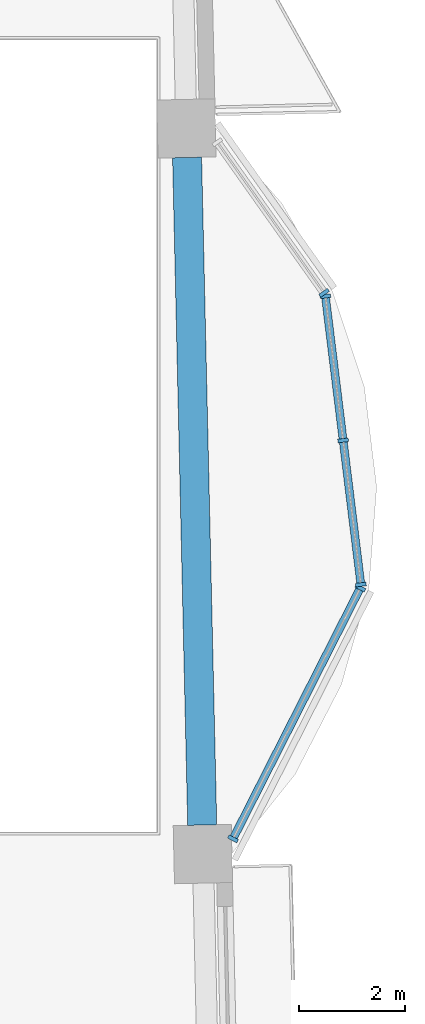
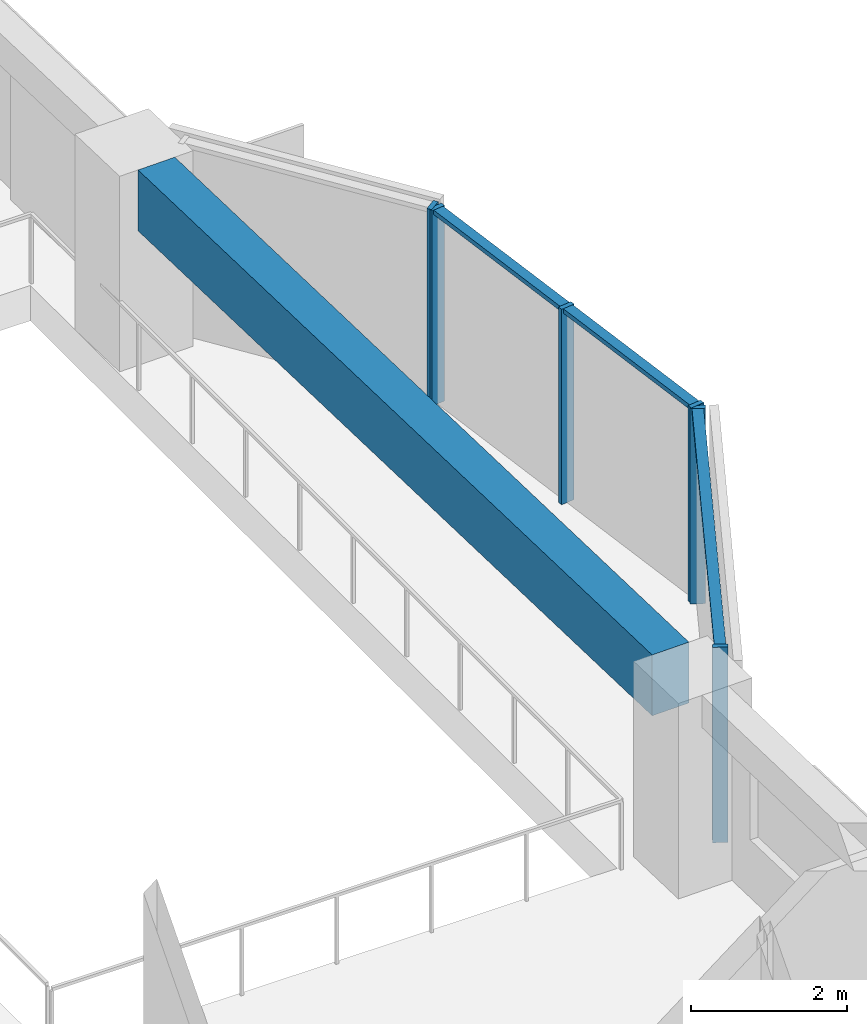
# One storey, part 2 of 17: 9 members, 1 beam, 3 elements without a shape of their own.
"""IFC4 building model written with IfcOpenShell, lengths in metres."""

from ifc_helpers import new_model, si_unit, direction, frame, origin, origin_2d, place, context, subcontext, project, spatial, rectangle, extrude, material, material_profile, profile_set, type_object, element, aggregate, save


model = new_model("IFC4")

# Units and contexts
model_context = context("Model", 3, precision=1e-05, world=origin(), true_north=direction((0.0, 1.0)))
body_context = subcontext(model_context, "Body", "Model", "MODEL_VIEW")
ifc_project = project(units=[si_unit("LENGTHUNIT", "METRE"), si_unit("AREAUNIT", "SQUARE_METRE"), si_unit("VOLUMEUNIT", "CUBIC_METRE"), si_unit("PLANEANGLEUNIT", "RADIAN"), si_unit("MASSUNIT", "GRAM", prefix="KILO")], contexts=[model_context])

# Site, building, storey
site_placement = place(None, origin())
site = spatial("IfcSite", under=ifc_project, at=site_placement, CompositionType="ELEMENT")
building_placement = place(site_placement, origin())
building = spatial("IfcBuilding", under=site, at=building_placement, Name="Mangrove Gate Tower", CompositionType="ELEMENT")
storey_placement = place(building_placement, frame((0.0, 0.0, 238.300048828125)))
storey = spatial("IfcBuildingStorey", under=building, at=storey_placement, Name="L60", CompositionType="ELEMENT", Elevation=238.300048828125)

# Curtain wall, members
ifc_material_1 = material(Name="Aluminium and glass curtain wall", Category="aluminium")
curtain_wall_type = type_object("IfcCurtainWallType", Name="Atrium garden-court glazing wall", PredefinedType="NOTDEFINED", material=ifc_material_1)
curtain_wall_1_placement = place(storey_placement, origin())
curtain_wall_1 = element("IfcCurtainWall", 1, at=curtain_wall_1_placement, inside=storey, type_object=curtain_wall_type, Name="Atrium garden-court glazing E1f1", PredefinedType="NOTDEFINED")
ifc_material_2 = material(Name="Aluminium alloy 6063-T6", Category="aluminium")
ifc_material_profile_1 = material_profile(ifc_material_2, rectangle(XDim=0.070068359375, YDim=0.199951171875, at=origin_2d()))
ifc_profile_set_1 = profile_set([ifc_material_profile_1], Name="Aluminium alloy 6063-T6")
member_type_1 = type_object("IfcMemberType", Name="Atrium garden-court glazing mullion 70x200", PredefinedType="MULLION", material=ifc_profile_set_1)
member_1_placement = place(storey_placement, frame((25.67333984375, -7.632080078125, 0.0), z_axis=(0.0, 0.0, 1.0), x_axis=(0.452597795636, 0.891714772439, 0.0)))
member_1 = element("IfcMember", 2, at=member_1_placement, type_object=member_type_1, Name="CWA mullion 1", PredefinedType="MULLION", context=body_context, shape_type="SweptSolid", body=[
    extrude(rectangle(XDim=0.070068359375, YDim=0.199951171875, at=origin_2d()), origin(), (0.0, 0.0, 1.0), 3.050048828125),
])
member_2_placement = place(storey_placement, frame((28.084716796875, -2.881103515625, 0.0), z_axis=(0.0, 0.0, 1.0), x_axis=(0.452597795636, 0.891714772439, 0.0)))
member_2 = element("IfcMember", 3, at=member_2_placement, type_object=member_type_1, Name="CWA mullion 2", PredefinedType="MULLION", context=body_context, shape_type="SweptSolid", body=[
    extrude(rectangle(XDim=0.070068359375, YDim=0.199951171875, at=origin_2d()), origin(), (0.0, 0.0, 1.0), 3.050048828125),
])

curtain_wall_2_placement = place(storey_placement, origin())
curtain_wall_2 = element("IfcCurtainWall", 4, at=curtain_wall_2_placement, inside=storey, type_object=curtain_wall_type, Name="Atrium garden-court glazing E1f2", PredefinedType="NOTDEFINED")
member_3_placement = place(storey_placement, frame((28.09619140625, -2.815185546875, 0.0), z_axis=(0.0, 0.0, 1.0), x_axis=(-0.122172285885, 0.992508908051, 0.0)))
member_3 = element("IfcMember", 5, at=member_3_placement, type_object=member_type_1, Name="CWA mullion 1", PredefinedType="MULLION", context=body_context, shape_type="SweptSolid", body=[
    extrude(rectangle(XDim=0.070068359375, YDim=0.199951171875, at=origin_2d()), origin(), (0.0, 0.0, 1.0), 3.050048828125),
])
member_4_placement = place(storey_placement, frame((27.760009765625, -0.083984375, 0.0), z_axis=(0.0, 0.0, 1.0), x_axis=(-0.122172285885, 0.992508908051, 0.0)))
member_4 = element("IfcMember", 6, at=member_4_placement, type_object=member_type_1, Name="CWA mullion 2", PredefinedType="MULLION", context=body_context, shape_type="SweptSolid", body=[
    extrude(rectangle(XDim=0.070068359375, YDim=0.199951171875, at=origin_2d()), origin(), (0.0, 0.0, 1.0), 3.050048828125),
])
member_5_placement = place(storey_placement, frame((27.423828125, 2.647216796875, 0.0), z_axis=(0.0, 0.0, 1.0), x_axis=(-0.122172285885, 0.992508908051, 0.0)))
member_5 = element("IfcMember", 7, at=member_5_placement, type_object=member_type_1, Name="CWA mullion 3", PredefinedType="MULLION", context=body_context, shape_type="SweptSolid", body=[
    extrude(rectangle(XDim=0.070068359375, YDim=0.199951171875, at=origin_2d()), origin(), (0.0, 0.0, 1.0), 3.050048828125),
])

# Curtain wall, member
curtain_wall_3_placement = place(storey_placement, origin())
curtain_wall_3 = element("IfcCurtainWall", 8, at=curtain_wall_3_placement, inside=storey, type_object=curtain_wall_type, Name="Atrium garden-court glazing E1f3", PredefinedType="NOTDEFINED")
member_6_placement = place(storey_placement, frame((27.3994140625, 2.71044921875, 0.0), z_axis=(0.0, 0.0, 1.0), x_axis=(-0.578120908245, 0.815951110944, 0.0)))
member_6 = element("IfcMember", 9, at=member_6_placement, type_object=member_type_1, Name="CWA mullion 1", PredefinedType="MULLION", context=body_context, shape_type="SweptSolid", body=[
    extrude(rectangle(XDim=0.070068359375, YDim=0.199951171875, at=origin_2d()), origin(), (0.0, 0.0, 1.0), 3.050048828125),
])
aggregate(curtain_wall_3, [member_6])

# Member
ifc_material_3 = material(Name="Aluminium alloy 6063-T6", Category="aluminium")
ifc_material_profile_2 = material_profile(ifc_material_3, rectangle(XDim=0.070068359375, YDim=0.14990234375, at=origin_2d()))
ifc_profile_set_2 = profile_set([ifc_material_profile_2], Name="Aluminium alloy 6063-T6")
member_type_2 = type_object("IfcMemberType", Name="Atrium garden-court glazing transom 70x150", PredefinedType="USERDEFINED", material=ifc_profile_set_2)
member_7_placement = place(storey_placement, frame((25.689208984375, -7.600830078125, 3.014892578125), z_axis=(0.452591825712, 0.891717802502, 0.0), x_axis=(0.0, 0.0, 1.0)))
member_7 = element("IfcMember", 10, at=member_7_placement, type_object=member_type_2, Name="CWA transom 1.2", ObjectType="TRANSOM", PredefinedType="USERDEFINED", context=body_context, shape_type="SweptSolid", body=[
    extrude(rectangle(XDim=0.070068359375, YDim=0.14990234375, at=origin_2d()), origin(), (0.0, 0.0, 1.0), 5.2578125),
])

aggregate(curtain_wall_1, [member_1, member_2, member_7])

member_8_placement = place(storey_placement, frame((28.092041015625, -2.7802734375, 3.014892578125), z_axis=(-0.122174517154, 0.992508633392, 0.0), x_axis=(0.0, 0.0, 1.0)))
member_8 = element("IfcMember", 11, at=member_8_placement, type_object=member_type_2, Name="CWA transom 1.2", ObjectType="TRANSOM", PredefinedType="USERDEFINED", context=body_context, shape_type="SweptSolid", body=[
    extrude(rectangle(XDim=0.070068359375, YDim=0.14990234375, at=origin_2d()), origin(), (0.0, 0.0, 1.0), 2.681640625),
])

member_9_placement = place(storey_placement, frame((27.755859375, -0.04931640625, 3.014892578125), z_axis=(-0.122174517154, 0.992508633392, 0.0), x_axis=(0.0, 0.0, 1.0)))
member_9 = element("IfcMember", 12, at=member_9_placement, type_object=member_type_2, Name="CWA transom 2.2", ObjectType="TRANSOM", PredefinedType="USERDEFINED", context=body_context, shape_type="SweptSolid", body=[
    extrude(rectangle(XDim=0.070068359375, YDim=0.14990234375, at=origin_2d()), origin(), (0.0, 0.0, 1.0), 2.681640625),
])

aggregate(curtain_wall_2, [member_3, member_4, member_5, member_8, member_9])

# Beam
ifc_material_4 = material(Name="Concrete C50/60", Category="concrete")
ifc_material_profile_3 = material_profile(ifc_material_4, rectangle(XDim=0.550048828125, YDim=0.949951171875, at=origin_2d()))
ifc_profile_set_3 = profile_set([ifc_material_profile_3], Name="Concrete C50/60")
beam_type = type_object("IfcBeamType", Name="Edge beam RC 550x950 C50/60", PredefinedType="BEAM", material=ifc_profile_set_3)
beam_placement = place(storey_placement, frame((25.090576171875, -7.37158203125, 2.574951171875), z_axis=(-0.022676251595, 0.999742860747, 0.0), x_axis=(-0.999742860747, -0.022676251595, 0.0)))
element("IfcBeam", 13, at=beam_placement, inside=storey, type_object=beam_type, Name="Edge beam L60 14", PredefinedType="BEAM", context=body_context, shape_type="SweptSolid", body=[
    extrude(rectangle(XDim=0.550048828125, YDim=0.949951171875, at=origin_2d()), origin(), (0.0, 0.0, 1.0), 12.650390625),
])

save(model, "model.ifc")
